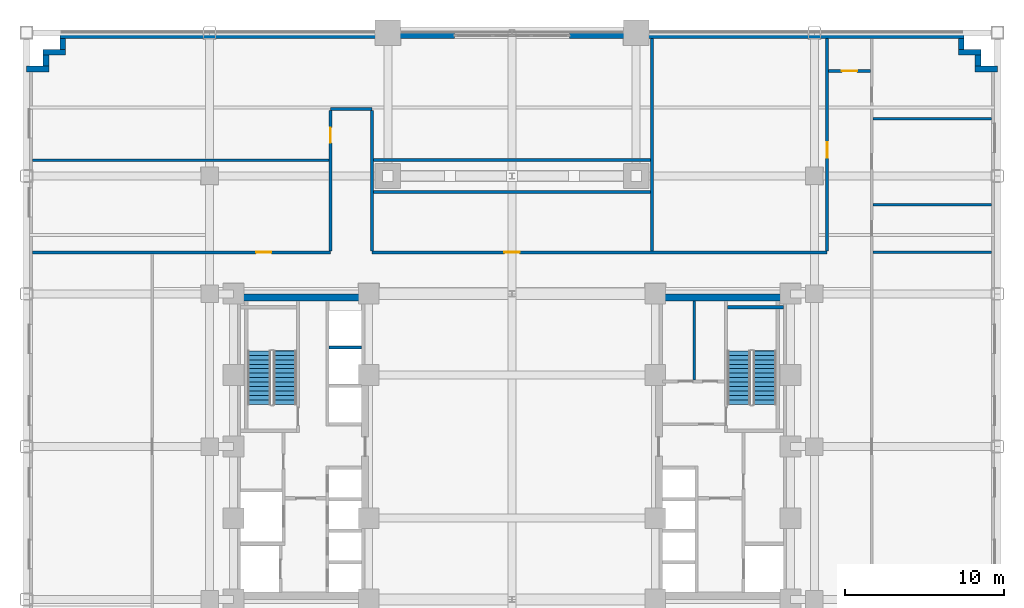
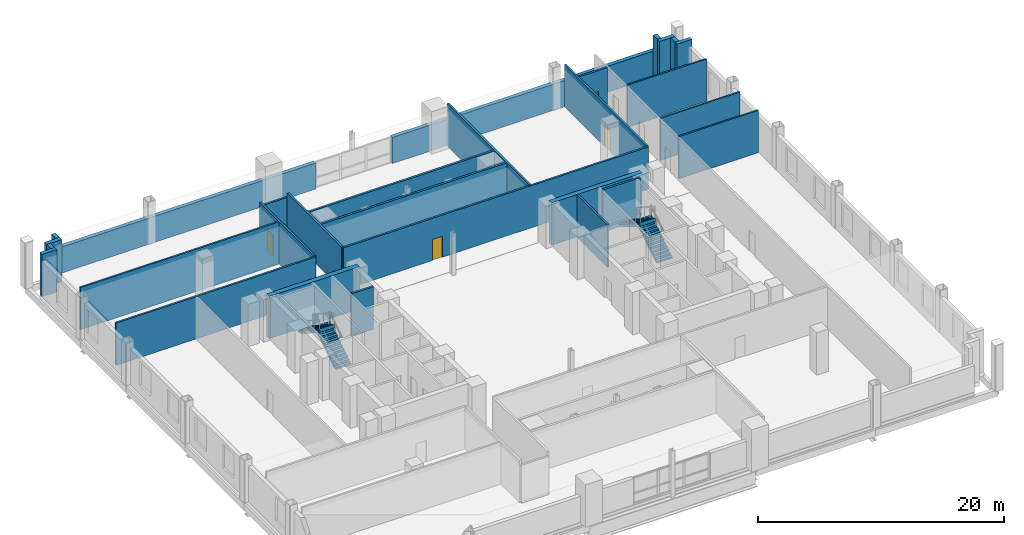
# One storey, part 9 of 17: 29 walls, 5 doors, 4 stair flights, 5 openings, 2 elements without a shape of their own.
"""IFC4 building model written with IfcOpenShell, lengths in metres."""

from ifc_helpers import new_model, si_unit, direction, frame, frame_2d, origin, place, context, subcontext, project, spatial, polyline, rectangle, outline, extrude, source, transform, mapped, material, layer, layer_set, type_object, type_shapes, element, fill, aggregate, save


model = new_model("IFC4")

# Units and contexts
model_context = context("Model", 3, precision=1e-05, world=origin(), true_north=direction((0.0, 1.0)))
body_context = subcontext(model_context, "Body", "Model", "MODEL_VIEW")
ifc_project = project(units=[si_unit("LENGTHUNIT", "METRE"), si_unit("AREAUNIT", "SQUARE_METRE"), si_unit("VOLUMEUNIT", "CUBIC_METRE"), si_unit("PLANEANGLEUNIT", "RADIAN"), si_unit("MASSUNIT", "GRAM", prefix="KILO")], contexts=[model_context])

# Site, building, storey
site_placement = place(None, origin())
site = spatial("IfcSite", under=ifc_project, at=site_placement, CompositionType="ELEMENT")
building_placement = place(site_placement, origin())
building = spatial("IfcBuilding", under=site, at=building_placement, Name="Nuvemarco Arch Tower", CompositionType="ELEMENT")
storey_placement = place(building_placement, frame((0.0, 0.0, 18.39990234375)))
storey = spatial("IfcBuildingStorey", under=building, at=storey_placement, Name="L04", CompositionType="ELEMENT", Elevation=18.39990234375)

# Walls
ifc_material_1 = material(Name="Precast concrete C45/55", Category="concrete")
ifc_layer_1 = layer(ifc_material_1, 0.360107421875, Name="EW-POD-360")
ifc_layer_set_1 = layer_set([ifc_layer_1], Name="Precast concrete C45/55")
wall_type_1 = type_object("IfcWallType", Name="EW-POD-360", PredefinedType="STANDARD", material=ifc_layer_set_1)
wall_1_placement = place(storey_placement, frame((29.090087890625, 23.719970703125, 0.0), z_axis=(0.0, 0.0, 1.0), x_axis=(1.0, 0.0, 0.0)))
element("IfcWall", 1, at=wall_1_placement, inside=storey, type_object=wall_type_1, Name="L04 exterior precast facade wall 7", PredefinedType="STANDARD", context=body_context, shape_type="SweptSolid", body=[
    extrude(rectangle(XDim=1.409912109375, YDim=0.360107421875, at=frame_2d((0.705078125, 0.0))), origin(), (0.0, 0.0, 1.0), 4.190185546875),
])
wall_2_placement = place(storey_placement, frame((29.27001953125, 23.89599609375, 0.0), z_axis=(0.0, 0.0, 1.0), x_axis=(0.0, 1.0, 0.0)))
element("IfcWall", 2, at=wall_2_placement, inside=storey, type_object=wall_type_1, Name="L04 exterior precast facade wall 8", PredefinedType="STANDARD", context=body_context, shape_type="SweptSolid", body=[
    extrude(rectangle(XDim=0.697998046875, YDim=0.360107421875, at=frame_2d((0.34912109375, 0.0))), origin(), (0.0, 0.0, 1.0), 4.190185546875),
])
wall_3_placement = place(storey_placement, frame((28.0400390625, 24.77001953125, 0.0), z_axis=(0.0, 0.0, 1.0), x_axis=(1.0, 0.0, 0.0)))
element("IfcWall", 3, at=wall_3_placement, inside=storey, type_object=wall_type_1, Name="L04 exterior precast facade wall 9", PredefinedType="STANDARD", context=body_context, shape_type="SweptSolid", body=[
    extrude(rectangle(XDim=1.409912109375, YDim=0.360107421875, at=frame_2d((0.705078125, 0.0))), origin(), (0.0, 0.0, 1.0), 4.190185546875),
])
wall_4_placement = place(storey_placement, frame((28.219970703125, 24.946044921875, 0.0), z_axis=(0.0, 0.0, 1.0), x_axis=(0.0, 1.0, 0.0)))
element("IfcWall", 4, at=wall_4_placement, inside=storey, type_object=wall_type_1, Name="L04 exterior precast facade wall 10", PredefinedType="STANDARD", context=body_context, shape_type="SweptSolid", body=[
    extrude(rectangle(XDim=0.697998046875, YDim=0.360107421875, at=frame_2d((0.34912109375, 0.0))), origin(), (0.0, 0.0, 1.0), 4.190185546875),
])
for number, where, z_axis, x_axis, name in (
    (5, (-28.39990234375, 25.820068359375, 0.0), (0.0, 0.0, 1.0), (1.0, 0.0, 0.0), "L04 exterior precast pier wall north left"),
    (6, (3.60009765625, 25.820068359375, 0.0), (0.0, 0.0, 1.0), (1.0, 0.0, 0.0), "L04 exterior precast pier wall north right"),
):
    element("IfcWall", number, at=place(storey_placement, frame(where, z_axis=z_axis, x_axis=x_axis)), inside=storey, type_object=wall_type_1, Name=name, PredefinedType="STANDARD", context=body_context, shape_type="SweptSolid", body=[
        extrude(rectangle(XDim=24.7998046875, YDim=0.360107421875, at=frame_2d((12.39990234375, 0.0))), origin(), (0.0, 0.0, 1.0), 2.585205078125),
    ])
wall_5_placement = place(storey_placement, frame((-28.219970703125, 24.946044921875, 0.0), z_axis=(0.0, 0.0, 1.0), x_axis=(0.0, 1.0, 0.0)))
element("IfcWall", 7, at=wall_5_placement, inside=storey, type_object=wall_type_1, Name="L04 exterior precast facade wall 12", PredefinedType="STANDARD", context=body_context, shape_type="SweptSolid", body=[
    extrude(rectangle(XDim=0.697998046875, YDim=0.360107421875, at=frame_2d((0.34912109375, 0.0))), origin(), (0.0, 0.0, 1.0), 4.190185546875),
])
wall_6_placement = place(storey_placement, frame((-29.449951171875, 24.77001953125, 0.0), z_axis=(0.0, 0.0, 1.0), x_axis=(1.0, 0.0, 0.0)))
element("IfcWall", 8, at=wall_6_placement, inside=storey, type_object=wall_type_1, Name="L04 exterior precast facade wall 13", PredefinedType="STANDARD", context=body_context, shape_type="SweptSolid", body=[
    extrude(rectangle(XDim=1.409912109375, YDim=0.360107421875, at=frame_2d((0.705078125, 0.0))), origin(), (0.0, 0.0, 1.0), 4.190185546875),
])
wall_7_placement = place(storey_placement, frame((-29.27001953125, 23.89599609375, 0.0), z_axis=(0.0, 0.0, 1.0), x_axis=(0.0, 1.0, 0.0)))
element("IfcWall", 9, at=wall_7_placement, inside=storey, type_object=wall_type_1, Name="L04 exterior precast facade wall 14", PredefinedType="STANDARD", context=body_context, shape_type="SweptSolid", body=[
    extrude(rectangle(XDim=0.697998046875, YDim=0.360107421875, at=frame_2d((0.34912109375, 0.0))), origin(), (0.0, 0.0, 1.0), 4.190185546875),
])
wall_8_placement = place(storey_placement, frame((-30.5, 23.719970703125, 0.0), z_axis=(0.0, 0.0, 1.0), x_axis=(1.0, 0.0, 0.0)))
element("IfcWall", 10, at=wall_8_placement, inside=storey, type_object=wall_type_1, Name="L04 exterior precast facade wall 15", PredefinedType="STANDARD", context=body_context, shape_type="SweptSolid", body=[
    extrude(rectangle(XDim=1.409912109375, YDim=0.360107421875, at=frame_2d((0.705078125, 0.0))), origin(), (0.0, 0.0, 1.0), 4.190185546875),
])
ifc_material_2 = material(Name="Concrete C60/75", Category="concrete")
ifc_layer_2 = layer(ifc_material_2, 0.449951171875, Name="WL-CORE-450")
ifc_layer_set_2 = layer_set([ifc_layer_2], Name="Concrete C60/75")
wall_type_2 = type_object("IfcWallType", Name="WL-CORE-450", PredefinedType="SHEAR", material=ifc_layer_set_2)
for number, where, z_axis, x_axis, name in (
    (11, (-17.5, 9.375, 0.0), (0.0, 0.0, 1.0), (1.0, 0.0, 0.0), "L04 W-core shear wall N"),
    (12, (9.0, 9.375, 0.0), (0.0, 0.0, 1.0), (1.0, 0.0, 0.0), "L04 E-core shear wall N"),
):
    element("IfcWall", number, at=place(storey_placement, frame(where, z_axis=z_axis, x_axis=x_axis)), inside=storey, type_object=wall_type_2, Name=name, PredefinedType="SHEAR", context=body_context, shape_type="SweptSolid", body=[
        extrude(rectangle(XDim=8.5, YDim=0.449951171875, at=frame_2d((4.25, 0.0))), origin(), (0.0, 0.0, 1.0), 4.2001953125),
    ])
ifc_material_3 = material(Name="Fire-rated gypsum drywall partition")
ifc_layer_3 = layer(ifc_material_3, 0.179931640625, Name="WL-CORR-180")
ifc_layer_set_3 = layer_set([ifc_layer_3], Name="Fire-rated gypsum drywall partition")
wall_type_3 = type_object("IfcWallType", Name="WL-CORR-180", PredefinedType="PARTITIONING", material=ifc_layer_set_3)
wall_9_placement = place(storey_placement, frame((11.449951171875, 4.18994140625, 0.0), z_axis=(0.0, 0.0, 1.0), x_axis=(0.0, 1.0, 0.0)))
element("IfcWall", 13, at=wall_9_placement, inside=storey, type_object=wall_type_3, Name="L04 interior wall IW-L04-EK3V", PredefinedType="PARTITIONING", context=body_context, shape_type="SweptSolid", body=[
    extrude(rectangle(XDim=4.965087890625, YDim=0.179931640625, at=frame_2d((2.482421875, 0.0))), origin(), (0.0, 0.0, 1.0), 4.190185546875),
])

# Wall, opening, door
wall_10_placement = place(storey_placement, frame((-30.139892578125, 12.199951171875, 0.0), z_axis=(0.0, 0.0, 1.0), x_axis=(1.0, 0.0, 0.0)))
wall_10 = element("IfcWall", 14, at=wall_10_placement, inside=storey, type_object=wall_type_3, Name="L04 interior wall IW-L04-007", PredefinedType="PARTITIONING", context=body_context, shape_type="SweptSolid", body=[
    extrude(rectangle(XDim=18.739990234375, YDim=0.179931640625, at=frame_2d((9.3701171875, 0.0))), origin(), (0.0, 0.0, 1.0), 4.190185546875),
])
opening_1_placement = place(wall_10_placement, frame((14.06005859375, 0.0, 0.0)))
opening_1 = element("IfcOpeningElement", 15, at=opening_1_placement, cuts=wall_10, Name="Opening FD-5", PredefinedType="OPENING", context=body_context, shape_type="SweptSolid", body=[
    extrude(rectangle(XDim=0.9599609375, YDim=2.10009765625, at=frame_2d((0.47998046875, 1.050048828125))), frame((0.0, 0.099853515625, 0.0), z_axis=(0.0, -1.0, 0.0), x_axis=(1.0, 0.0, 0.0)), (0.0, 0.0, 1.0), 0.199951171875),
])
ifc_material_4 = material(Name="Timber fire door", Category="wood")
door_type = type_object("IfcDoorType", Name="DR-CORR-FD", OperationType="NOTDEFINED", PredefinedType="DOOR", material=ifc_material_4)
shared_shape = source(origin(), body_context, "Body", "SweptSolid", [
    extrude(rectangle(XDim=0.9599609375, YDim=2.10009765625, at=frame_2d((0.47998046875, 1.050048828125))), frame((0.0, 0.02490234375, 0.0), z_axis=(0.0, -1.0, 0.0), x_axis=(1.0, 0.0, 0.0)), (0.0, 0.0, 1.0), 0.050048828125),
])
type_shapes(door_type, [shared_shape])
door_1_placement = place(opening_1_placement, origin())
door_1 = element("IfcDoor", 16, at=door_1_placement, inside=storey, type_object=door_type, Name="L04 door DR-L04-BRG_NW_OFF", OperationType="SINGLE_SWING_RIGHT", OverallHeight=2.10009765625, OverallWidth=0.9599609375, PredefinedType="DOOR", context=body_context, shape_type="MappedRepresentation", body=[
    mapped(shared_shape, transform((0.0, 0.0, 0.0), scale=1.0)),
])
fill(opening_1, door_1)

wall_11_placement = place(storey_placement, frame((-8.800048828125, 12.199951171875, 0.0), z_axis=(0.0, 0.0, 1.0), x_axis=(1.0, 0.0, 0.0)))
wall_11 = element("IfcWall", 17, at=wall_11_placement, inside=storey, type_object=wall_type_3, Name="L04 interior wall IW-L04-008", PredefinedType="PARTITIONING", context=body_context, shape_type="SweptSolid", body=[
    extrude(rectangle(XDim=28.60009765625, YDim=0.179931640625, at=frame_2d((14.300048828125, 0.0))), origin(), (0.0, 0.0, 1.0), 4.190185546875),
])
opening_2_placement = place(wall_11_placement, frame((8.320068359375, 0.0, 0.0)))
opening_2 = element("IfcOpeningElement", 18, at=opening_2_placement, cuts=wall_11, Name="Opening FD-5", PredefinedType="OPENING", context=body_context, shape_type="SweptSolid", body=[
    extrude(rectangle(XDim=0.9599609375, YDim=2.10009765625, at=frame_2d((0.47998046875, 1.050048828125))), frame((0.0, 0.099853515625, 0.0), z_axis=(0.0, -1.0, 0.0), x_axis=(1.0, 0.0, 0.0)), (0.0, 0.0, 1.0), 0.199951171875),
])
door_2_placement = place(opening_2_placement, origin())
door_2 = element("IfcDoor", 19, at=door_2_placement, inside=storey, type_object=door_type, Name="L04 door DR-L04-BRG_NMTG", OperationType="SINGLE_SWING_RIGHT", OverallHeight=2.10009765625, OverallWidth=0.9599609375, PredefinedType="DOOR", context=body_context, shape_type="MappedRepresentation", body=[
    mapped(shared_shape, transform((0.0, 0.0, 0.0), scale=1.0)),
])
fill(opening_2, door_2)

# Wall
wall_12_placement = place(storey_placement, frame((-11.39990234375, 21.199951171875, 0.0), z_axis=(0.0, 0.0, 1.0), x_axis=(1.0, 0.0, 0.0)))
element("IfcWall", 20, at=wall_12_placement, inside=storey, type_object=wall_type_3, Name="L04 interior wall IW-L04-015", PredefinedType="PARTITIONING", context=body_context, shape_type="SweptSolid", body=[
    extrude(rectangle(XDim=2.599853515625, YDim=0.179931640625, at=frame_2d((1.2998046875, 0.0))), origin(), (0.0, 0.0, 1.0), 3.772216796875),
])

# Wall, opening, door
wall_13_placement = place(storey_placement, frame((19.885986328125, 23.60009765625, 0.0), z_axis=(0.0, 0.0, 1.0), x_axis=(1.0, 0.0, 0.0)))
wall_13 = element("IfcWall", 21, at=wall_13_placement, inside=storey, type_object=wall_type_3, Name="L04 interior wall IW-L04-016", PredefinedType="PARTITIONING", context=body_context, shape_type="SweptSolid", body=[
    extrude(rectangle(XDim=2.64794921875, YDim=0.179931640625, at=frame_2d((1.323974609375, 0.0))), origin(), (0.0, 0.0, 1.0), 4.190185546875),
])
opening_3_placement = place(wall_13_placement, frame((0.843994140625, 0.0, 0.0)))
opening_3 = element("IfcOpeningElement", 22, at=opening_3_placement, cuts=wall_13, Name="Opening FD-5", PredefinedType="OPENING", context=body_context, shape_type="SweptSolid", body=[
    extrude(rectangle(XDim=0.9599609375, YDim=2.10009765625, at=frame_2d((0.47998046875, 1.050048828125))), frame((0.0, 0.099853515625, 0.0), z_axis=(0.0, -1.0, 0.0), x_axis=(1.0, 0.0, 0.0)), (0.0, 0.0, 1.0), 0.199951171875),
])
door_3_placement = place(opening_3_placement, origin())
door_3 = element("IfcDoor", 23, at=door_3_placement, inside=storey, type_object=door_type, Name="L04 door DR-L04-BRG_STORE", OperationType="SINGLE_SWING_RIGHT", OverallHeight=2.10009765625, OverallWidth=0.9599609375, PredefinedType="DOOR", context=body_context, shape_type="MappedRepresentation", body=[
    mapped(shared_shape, transform((0.0, 0.0, 0.0), scale=1.0)),
])
fill(opening_3, door_3)

wall_14_placement = place(storey_placement, frame((-11.39990234375, 12.285888671875, 0.0), z_axis=(0.0, 0.0, 1.0), x_axis=(0.0, 1.0, 0.0)))
wall_14 = element("IfcWall", 24, at=wall_14_placement, inside=storey, type_object=wall_type_3, Name="L04 interior wall IW-L04-019", PredefinedType="PARTITIONING", context=body_context, shape_type="SweptSolid", body=[
    extrude(rectangle(XDim=8.828125, YDim=0.179931640625, at=frame_2d((4.4140625, 0.0))), origin(), (0.0, 0.0, 1.0), 4.190185546875),
])
opening_4_placement = place(wall_14_placement, frame((6.791015625, 0.0, 0.0)))
opening_4 = element("IfcOpeningElement", 25, at=opening_4_placement, cuts=wall_14, Name="Opening FD-5", PredefinedType="OPENING", context=body_context, shape_type="SweptSolid", body=[
    extrude(rectangle(XDim=0.9599609375, YDim=2.10009765625, at=frame_2d((0.47998046875, 1.050048828125))), frame((0.0, 0.099853515625, 0.0), z_axis=(0.0, -1.0, 0.0), x_axis=(1.0, 0.0, 0.0)), (0.0, 0.0, 1.0), 0.199951171875),
])
door_4_placement = place(opening_4_placement, origin())
door_4 = element("IfcDoor", 26, at=door_4_placement, inside=storey, type_object=door_type, Name="L04 door DR-L04-BRG_OFF", OperationType="SINGLE_SWING_LEFT", OverallHeight=2.10009765625, OverallWidth=0.9599609375, PredefinedType="DOOR", context=body_context, shape_type="MappedRepresentation", body=[
    mapped(shared_shape, transform((0.0, 0.0, 0.0), scale=1.0)),
])
fill(opening_4, door_4)

wall_15_placement = place(storey_placement, frame((19.800048828125, 12.285888671875, 0.0), z_axis=(0.0, 0.0, 1.0), x_axis=(0.0, 1.0, 0.0)))
wall_15 = element("IfcWall", 27, at=wall_15_placement, inside=storey, type_object=wall_type_3, Name="L04 interior wall IW-L04-024", PredefinedType="PARTITIONING", context=body_context, shape_type="SweptSolid", body=[
    extrude(rectangle(XDim=13.35400390625, YDim=0.179931640625, at=frame_2d((6.677001953125, 0.0))), origin(), (0.0, 0.0, 1.0), 4.190185546875),
])
opening_5_placement = place(wall_15_placement, frame((5.860107421875, 0.0, 0.0)))
opening_5 = element("IfcOpeningElement", 28, at=opening_5_placement, cuts=wall_15, Name="Opening FD-5", PredefinedType="OPENING", context=body_context, shape_type="SweptSolid", body=[
    extrude(rectangle(XDim=0.9599609375, YDim=2.10009765625, at=frame_2d((0.47998046875, 1.050048828125))), frame((0.0, 0.099853515625, 0.0), z_axis=(0.0, -1.0, 0.0), x_axis=(1.0, 0.0, 0.0)), (0.0, 0.0, 1.0), 0.199951171875),
])
door_5_placement = place(opening_5_placement, origin())
door_5 = element("IfcDoor", 29, at=door_5_placement, inside=storey, type_object=door_type, Name="L04 door DR-L04-BRG_NE_BRD", OperationType="SINGLE_SWING_LEFT", OverallHeight=2.10009765625, OverallWidth=0.9599609375, PredefinedType="DOOR", context=body_context, shape_type="MappedRepresentation", body=[
    mapped(shared_shape, transform((0.0, 0.0, 0.0), scale=1.0)),
])
fill(opening_5, door_5)

# Walls
ifc_layer_4 = layer(ifc_material_1, 0.199951171875, Name="WL-PLANT-200")
ifc_layer_set_4 = layer_set([ifc_layer_4], Name="Precast concrete C45/55")
wall_type_4 = type_object("IfcWallType", Name="WL-PLANT-200", PredefinedType="STANDARD", material=ifc_layer_set_4)
for number, where, z_axis, x_axis, name in (
    (30, (-8.714111328125, 16.0, 0.0), (0.0, 0.0, 1.0), (1.0, 0.0, 0.0), "L04 interior wall IW-L04-011"),
    (31, (-8.714111328125, 18.0, 0.0), (0.0, 0.0, 1.0), (1.0, 0.0, 0.0), "L04 interior wall IW-L04-013"),
):
    element("IfcWall", number, at=place(storey_placement, frame(where, z_axis=z_axis, x_axis=x_axis)), inside=storey, type_object=wall_type_4, Name=name, PredefinedType="STANDARD", context=body_context, shape_type="SweptSolid", body=[
        extrude(rectangle(XDim=17.438232421875, YDim=0.199951171875, at=frame_2d((8.71923828125, 0.0))), origin(), (0.0, 0.0, 1.0), 4.190185546875),
    ])
wall_16_placement = place(storey_placement, frame((-8.800048828125, 12.285888671875, 0.0), z_axis=(0.0, 0.0, 1.0), x_axis=(0.0, 1.0, 0.0)))
element("IfcWall", 32, at=wall_16_placement, inside=storey, type_object=wall_type_4, Name="L04 interior wall IW-L04-021", PredefinedType="STANDARD", context=body_context, shape_type="SweptSolid", body=[
    extrude(rectangle(XDim=8.828125, YDim=0.199951171875, at=frame_2d((4.4140625, 0.0))), origin(), (0.0, 0.0, 1.0), 4.190185546875),
])
wall_17_placement = place(storey_placement, frame((8.800048828125, 12.285888671875, 0.0), z_axis=(0.0, 0.0, 1.0), x_axis=(0.0, 1.0, 0.0)))
element("IfcWall", 33, at=wall_17_placement, inside=storey, type_object=wall_type_4, Name="L04 interior wall IW-L04-023", PredefinedType="STANDARD", context=body_context, shape_type="SweptSolid", body=[
    extrude(rectangle(XDim=13.35400390625, YDim=0.199951171875, at=frame_2d((6.677001953125, 0.0))), origin(), (0.0, 0.0, 1.0), 4.190185546875),
])
ifc_material_5 = material(Name="Concrete C50/60", Category="concrete")
ifc_layer_5 = layer(ifc_material_5, 0.199951171875, Name="WL-SHAFT-220")
ifc_layer_set_5 = layer_set([ifc_layer_5], Name="Concrete C50/60")
wall_type_5 = type_object("IfcWallType", Name="WL-SHAFT-220", PredefinedType="SHEAR", material=ifc_layer_set_5)
wall_18_placement = place(storey_placement, frame((-11.5048828125, 6.219970703125, 0.0), z_axis=(0.0, 0.0, 1.0), x_axis=(1.0, 0.0, 0.0)))
element("IfcWall", 34, at=wall_18_placement, inside=storey, type_object=wall_type_5, Name="L04 structural shaft wall SW-L04-W-PHD3", PredefinedType="SHEAR", context=body_context, shape_type="SweptSolid", body=[
    extrude(rectangle(XDim=2.059814453125, YDim=0.199951171875, at=frame_2d((1.02978515625, 0.0))), origin(), (0.0, 0.0, 1.0), 4.2001953125),
])
wall_19_placement = place(storey_placement, frame((13.534912109375, 8.75, 0.0), z_axis=(0.0, 0.0, 1.0), x_axis=(1.0, 0.0, 0.0)))
element("IfcWall", 35, at=wall_19_placement, inside=storey, type_object=wall_type_5, Name="L04 structural shaft wall SW-L04-E-ST2N", PredefinedType="SHEAR", context=body_context, shape_type="SweptSolid", body=[
    extrude(rectangle(XDim=3.52001953125, YDim=0.199951171875, at=frame_2d((1.760009765625, 0.0))), origin(), (0.0, 0.0, 1.0), 4.2001953125),
])
ifc_material_6 = material(Name="Acoustic gypsum drywall partition")
ifc_layer_6 = layer(ifc_material_6, 0.159912109375, Name="WL-TENANT-160")
ifc_layer_set_6 = layer_set([ifc_layer_6], Name="Acoustic gypsum drywall partition")
wall_type_6 = type_object("IfcWallType", Name="WL-TENANT-160", PredefinedType="PARTITIONING", material=ifc_layer_set_6)
wall_20_placement = place(storey_placement, frame((-30.139892578125, 18.0, 0.0), z_axis=(0.0, 0.0, 1.0), x_axis=(1.0, 0.0, 0.0)))
element("IfcWall", 36, at=wall_20_placement, inside=storey, type_object=wall_type_6, Name="L04 interior wall IW-L04-012", PredefinedType="PARTITIONING", context=body_context, shape_type="SweptSolid", body=[
    extrude(rectangle(XDim=18.65380859375, YDim=0.159912109375, at=frame_2d((9.326904296875, 0.0))), origin(), (0.0, 0.0, 1.0), 4.190185546875),
])
ifc_material_7 = material(Name="Moisture-resistant gypsum partition")
ifc_layer_7 = layer(ifc_material_7, 0.14990234375, Name="WL-WET-150")
ifc_layer_set_7 = layer_set([ifc_layer_7], Name="Moisture-resistant gypsum partition")
wall_type_7 = type_object("IfcWallType", Name="WL-WET-150", PredefinedType="PARTITIONING", material=ifc_layer_set_7)
for number, where, z_axis, x_axis, name in (
    (37, (22.666015625, 12.199951171875, 0.0), (0.0, 0.0, 1.0), (1.0, 0.0, 0.0), "L04 interior wall IW-L04-009"),
    (38, (22.666015625, 15.199951171875, 0.0), (0.0, 0.0, 1.0), (1.0, 0.0, 0.0), "L04 interior wall IW-L04-010"),
    (39, (22.666015625, 20.60009765625, 0.0), (0.0, 0.0, 1.0), (1.0, 0.0, 0.0), "L04 interior wall IW-L04-014"),
):
    element("IfcWall", number, at=place(storey_placement, frame(where, z_axis=z_axis, x_axis=x_axis)), inside=storey, type_object=wall_type_7, Name=name, PredefinedType="PARTITIONING", context=body_context, shape_type="SweptSolid", body=[
        extrude(rectangle(XDim=7.473876953125, YDim=0.14990234375, at=frame_2d((3.73681640625, 0.0))), origin(), (0.0, 0.0, 1.0), 4.190185546875),
    ])

# Stair, stair flights
stair_type = type_object("IfcStairType", Name="ST-CORE-26R", PredefinedType="HALF_TURN_STAIR", material=ifc_material_1)
stair_1_placement = place(storey_placement, origin())
stair_1 = element("IfcStair", 40, at=stair_1_placement, inside=storey, type_object=stair_type, Name="L04 Protected Exit Stair ST-1", PredefinedType="HALF_TURN_STAIR")
stair_flight_type = type_object("IfcStairFlightType", Name="SF-CORE-26R", PredefinedType="STRAIGHT", material=ifc_material_1)
stair_flight_1_placement = place(storey_placement, frame((-14.264892578125, 2.64990234375, 0.0), z_axis=(0.0, 0.0, 1.0), x_axis=(0.0, 1.0, 0.0)))
stair_flight_1 = element("IfcStairFlight", 41, at=stair_flight_1_placement, type_object=stair_flight_type, Name="ST-26R flight 1", NumberOfRisers=13, NumberOfTreads=12, PredefinedType="STRAIGHT", RiserHeight=0.176923077, TreadLength=0.28, context=body_context, shape_type="SweptSolid", body=[
    extrude(outline(polyline([(0.0, 0.0), (0.0, 0.177001953125), (0.280029296875, 0.177001953125), (0.280029296875, 0.353759765625), (0.56005859375, 0.353759765625), (0.56005859375, 0.53076171875), (0.840087890625, 0.53076171875), (0.840087890625, 0.707763671875), (1.1201171875, 0.707763671875), (1.1201171875, 0.884521484375), (1.39990234375, 0.884521484375), (1.39990234375, 1.0615234375), (1.679931640625, 1.0615234375), (1.679931640625, 1.238525390625), (1.9599609375, 1.238525390625), (1.9599609375, 1.415283203125), (2.239990234375, 1.415283203125), (2.239990234375, 1.59228515625), (2.52001953125, 1.59228515625), (2.52001953125, 1.769287109375), (2.800048828125, 1.769287109375), (2.800048828125, 1.946044921875), (3.080078125, 1.946044921875), (3.080078125, 2.123046875), (3.360107421875, 2.123046875), (3.360107421875, 2.300048828125), (3.3798828125, 2.300048828125), (3.3798828125, 1.933837890625), (0.3193359375, 0.0), (0.0, 0.0)])), frame((0.0, 0.72509765625, 0.0), z_axis=(0.0, -1.0, 0.0), x_axis=(1.0, 0.0, 0.0)), (0.0, 0.0, 1.0), 1.449951171875),
])
stair_flight_2_placement = place(storey_placement, frame((-15.875, 6.010009765625, 2.300048828125), z_axis=(0.0, 0.0, 1.0), x_axis=(0.0, -1.0, 0.0)))
stair_flight_2 = element("IfcStairFlight", 42, at=stair_flight_2_placement, type_object=stair_flight_type, Name="ST-26R flight 2", NumberOfRisers=13, NumberOfTreads=12, PredefinedType="STRAIGHT", RiserHeight=0.176923077, TreadLength=0.28, context=body_context, shape_type="SweptSolid", body=[
    extrude(outline(polyline([(0.0, 0.0), (0.0, 0.177001953125), (0.280029296875, 0.177001953125), (0.280029296875, 0.353759765625), (0.56005859375, 0.353759765625), (0.56005859375, 0.53076171875), (0.840087890625, 0.53076171875), (0.840087890625, 0.707763671875), (1.1201171875, 0.707763671875), (1.1201171875, 0.884521484375), (1.39990234375, 0.884521484375), (1.39990234375, 1.0615234375), (1.679931640625, 1.0615234375), (1.679931640625, 1.238525390625), (1.9599609375, 1.238525390625), (1.9599609375, 1.415283203125), (2.239990234375, 1.415283203125), (2.239990234375, 1.59228515625), (2.52001953125, 1.59228515625), (2.52001953125, 1.769287109375), (2.800048828125, 1.769287109375), (2.800048828125, 1.946044921875), (3.080078125, 1.946044921875), (3.080078125, 2.123046875), (3.360107421875, 2.123046875), (3.360107421875, 2.300048828125), (3.3798828125, 2.300048828125), (3.3798828125, 1.933837890625), (0.3193359375, 0.0), (0.0, 0.0)])), frame((0.0, 0.72509765625, 0.0), z_axis=(0.0, -1.0, 0.0), x_axis=(1.0, 0.0, 0.0)), (0.0, 0.0, 1.0), 1.449951171875),
])
aggregate(stair_1, [stair_flight_1, stair_flight_2])

stair_2_placement = place(storey_placement, origin())
stair_2 = element("IfcStair", 43, at=stair_2_placement, inside=storey, type_object=stair_type, Name="L04 Protected Exit Stair ST-2", PredefinedType="HALF_TURN_STAIR")
stair_flight_3_placement = place(storey_placement, frame((15.875, 2.64990234375, 0.0), z_axis=(0.0, 0.0, 1.0), x_axis=(0.0, 1.0, 0.0)))
stair_flight_3 = element("IfcStairFlight", 44, at=stair_flight_3_placement, type_object=stair_flight_type, Name="ST-26R flight 1", NumberOfRisers=13, NumberOfTreads=12, PredefinedType="STRAIGHT", RiserHeight=0.176923077, TreadLength=0.28, context=body_context, shape_type="SweptSolid", body=[
    extrude(outline(polyline([(0.0, 0.0), (0.0, 0.177001953125), (0.280029296875, 0.177001953125), (0.280029296875, 0.353759765625), (0.56005859375, 0.353759765625), (0.56005859375, 0.53076171875), (0.840087890625, 0.53076171875), (0.840087890625, 0.707763671875), (1.1201171875, 0.707763671875), (1.1201171875, 0.884521484375), (1.39990234375, 0.884521484375), (1.39990234375, 1.0615234375), (1.679931640625, 1.0615234375), (1.679931640625, 1.238525390625), (1.9599609375, 1.238525390625), (1.9599609375, 1.415283203125), (2.239990234375, 1.415283203125), (2.239990234375, 1.59228515625), (2.52001953125, 1.59228515625), (2.52001953125, 1.769287109375), (2.800048828125, 1.769287109375), (2.800048828125, 1.946044921875), (3.080078125, 1.946044921875), (3.080078125, 2.123046875), (3.360107421875, 2.123046875), (3.360107421875, 2.300048828125), (3.3798828125, 2.300048828125), (3.3798828125, 1.933837890625), (0.3193359375, 0.0), (0.0, 0.0)])), frame((0.0, 0.72509765625, 0.0), z_axis=(0.0, -1.0, 0.0), x_axis=(1.0, 0.0, 0.0)), (0.0, 0.0, 1.0), 1.449951171875),
])
stair_flight_4_placement = place(storey_placement, frame((14.264892578125, 6.010009765625, 2.300048828125), z_axis=(0.0, 0.0, 1.0), x_axis=(0.0, -1.0, 0.0)))
stair_flight_4 = element("IfcStairFlight", 45, at=stair_flight_4_placement, type_object=stair_flight_type, Name="ST-26R flight 2", NumberOfRisers=13, NumberOfTreads=12, PredefinedType="STRAIGHT", RiserHeight=0.176923077, TreadLength=0.28, context=body_context, shape_type="SweptSolid", body=[
    extrude(outline(polyline([(0.0, 0.0), (0.0, 0.177001953125), (0.280029296875, 0.177001953125), (0.280029296875, 0.353759765625), (0.56005859375, 0.353759765625), (0.56005859375, 0.53076171875), (0.840087890625, 0.53076171875), (0.840087890625, 0.707763671875), (1.1201171875, 0.707763671875), (1.1201171875, 0.884521484375), (1.39990234375, 0.884521484375), (1.39990234375, 1.0615234375), (1.679931640625, 1.0615234375), (1.679931640625, 1.238525390625), (1.9599609375, 1.238525390625), (1.9599609375, 1.415283203125), (2.239990234375, 1.415283203125), (2.239990234375, 1.59228515625), (2.52001953125, 1.59228515625), (2.52001953125, 1.769287109375), (2.800048828125, 1.769287109375), (2.800048828125, 1.946044921875), (3.080078125, 1.946044921875), (3.080078125, 2.123046875), (3.360107421875, 2.123046875), (3.360107421875, 2.300048828125), (3.3798828125, 2.300048828125), (3.3798828125, 1.933837890625), (0.3193359375, 0.0), (0.0, 0.0)])), frame((0.0, 0.72509765625, 0.0), z_axis=(0.0, -1.0, 0.0), x_axis=(1.0, 0.0, 0.0)), (0.0, 0.0, 1.0), 1.449951171875),
])
aggregate(stair_2, [stair_flight_3, stair_flight_4])

save(model, "model.ifc")
